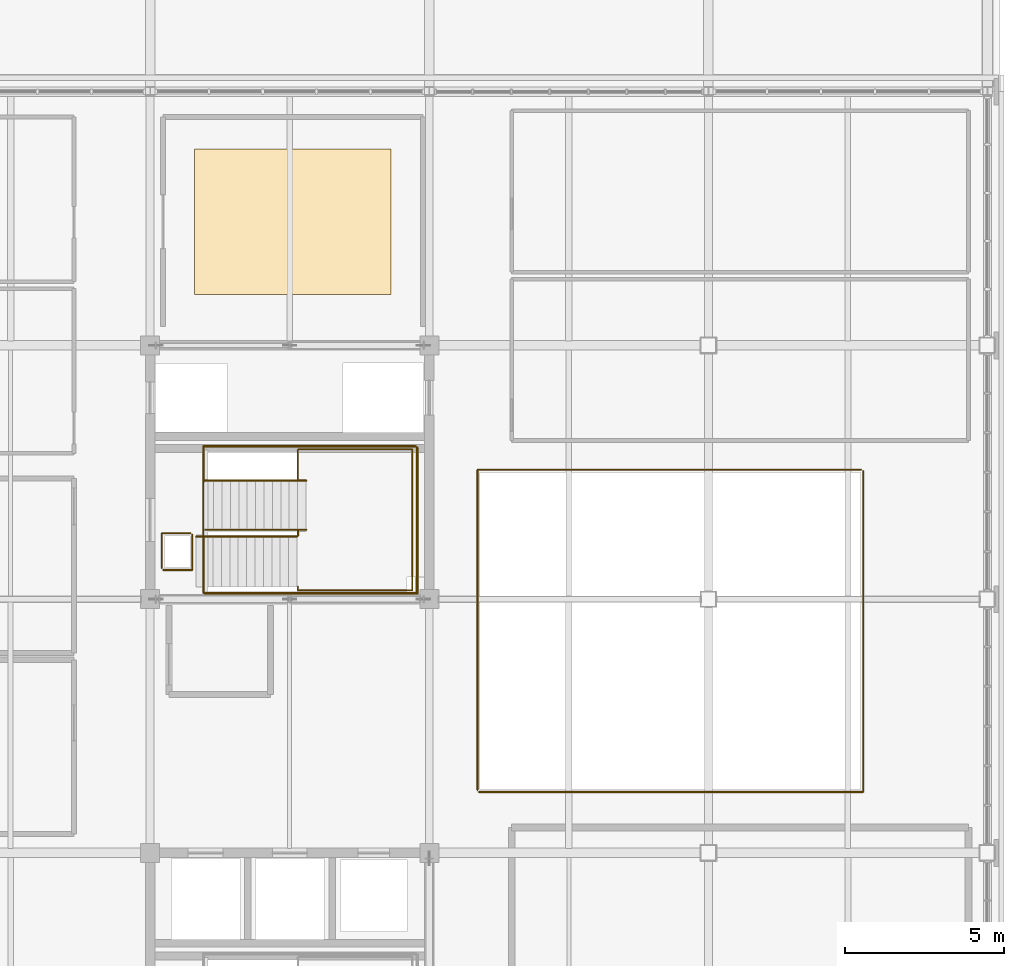
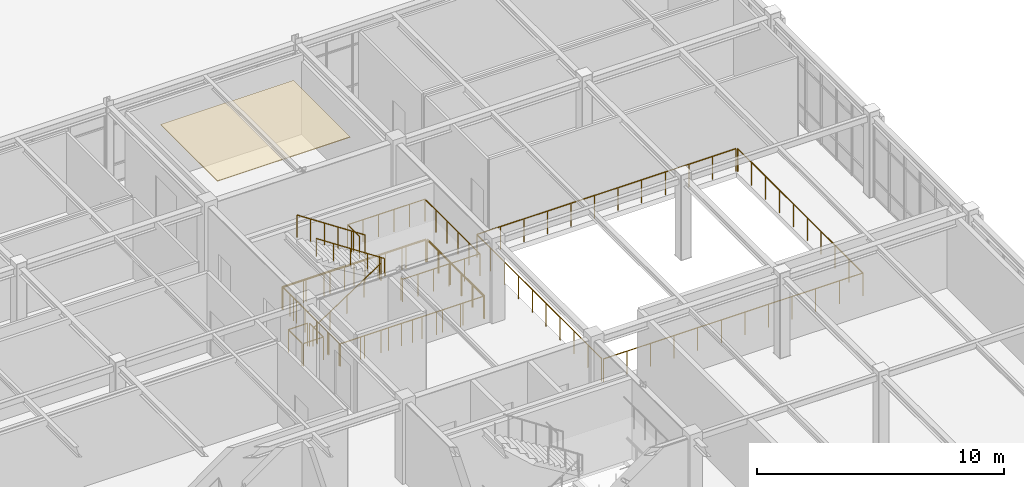
# One storey, part 44 of 45: 12 railings, 1 covering.
"""IFC4 building model written with IfcOpenShell, lengths in metres."""

from ifc_helpers import new_model, si_unit, direction, frame, origin, origin_2d, place, context, subcontext, project, spatial, rectangle, circle, extrude, material, layer, layer_set, type_object, element, save


model = new_model("IFC4")

# Units and contexts
model_context = context("Model", 3, precision=1e-05, world=origin(), true_north=direction((0.0, 1.0)))
body_context = subcontext(model_context, "Body", "Model", "MODEL_VIEW")
ifc_project = project(units=[si_unit("LENGTHUNIT", "METRE"), si_unit("AREAUNIT", "SQUARE_METRE"), si_unit("VOLUMEUNIT", "CUBIC_METRE"), si_unit("PLANEANGLEUNIT", "RADIAN"), si_unit("MASSUNIT", "GRAM", prefix="KILO")], contexts=[model_context])

# Site, building, storey
site_placement = place(None, origin())
site = spatial("IfcSite", under=ifc_project, at=site_placement, CompositionType="ELEMENT")
building_placement = place(site_placement, origin())
building = spatial("IfcBuilding", under=site, at=building_placement, Name="Zhaolan Boulevard Law Courts", CompositionType="ELEMENT")
storey_placement = place(building_placement, frame((0.0, 0.0, 24.60009765625)))
storey = spatial("IfcBuildingStorey", under=building, at=storey_placement, Name="L05", CompositionType="ELEMENT", Elevation=24.60009765625)

# Covering
ifc_material_1 = material(Name="Perforated acoustic gypsum and timber-slat ceiling", Category="wood")
ifc_layer = layer(ifc_material_1, 0.034912109375)
ifc_layer_set = layer_set([ifc_layer])
covering_type = type_object("IfcCoveringType", Name="ACOUSTIC CEILING 35", PredefinedType="CEILING", material=ifc_layer_set)
covering_placement = place(storey_placement, frame((22.10009765625, 73.89990234375, 3.51220703125), z_axis=(0.0, 0.0, 1.0), x_axis=(1.0, 0.0, 0.0)))
element("IfcCovering", 1, at=covering_placement, inside=storey, type_object=covering_type, Name="Acoustic Baffle Ceiling CLG-18", PredefinedType="CEILING", context=body_context, shape_type="SweptSolid", body=[
    extrude(rectangle(XDim=6.199951171875, YDim=4.60009765625, at=origin_2d()), origin(), (0.0, 0.0, 1.0), 0.034912109375),
])

# Railings
ifc_material_2 = material(Name="Powder-coated steel and tempered laminated glass", Category="steel")
railing_type_1 = type_object("IfcRailingType", Name="INTERIOR GUARDRAIL 1150", PredefinedType="GUARDRAIL", material=ifc_material_2)
railing_1_placement = place(storey_placement, frame((19.31005859375, 62.169921875, 0.0)))
element("IfcRailing", 2, at=railing_1_placement, inside=storey, type_object=railing_type_1, Name="Atrium Gallery Guardrail VG-5-V5-7A", PredefinedType="GUARDRAIL", context=body_context, shape_type="SweptSolid", body=[
    extrude(circle(Radius=0.02490234375, at=origin_2d()), frame((0.0, 0.0, 1.125), z_axis=(1.0, 0.0, 0.0), x_axis=(0.0, 1.0, 0.0)), (0.0, 0.0, 1.0), 6.719970703125),
    extrude(circle(Radius=0.02490234375, at=origin_2d()), frame((6.719970703125, 0.0, 1.125), z_axis=(0.0, 1.0, 0.0), x_axis=(-1.0, 0.0, 0.0)), (0.0, 0.0, 1.0), 4.6201171875),
    extrude(circle(Radius=0.02099609375, at=origin_2d()), origin(), (0.0, 0.0, 1.0), 1.099853515625),
    extrude(circle(Radius=0.02099609375, at=origin_2d()), frame((1.1201171875, 0.0, 0.0)), (0.0, 0.0, 1.0), 1.099853515625),
    extrude(circle(Radius=0.02099609375, at=origin_2d()), frame((2.239990234375, 0.0, 0.0)), (0.0, 0.0, 1.0), 1.099853515625),
    extrude(circle(Radius=0.02099609375, at=origin_2d()), frame((3.35986328125, 0.0, 0.0)), (0.0, 0.0, 1.0), 1.099853515625),
    extrude(circle(Radius=0.02099609375, at=origin_2d()), frame((4.47998046875, 0.0, 0.0)), (0.0, 0.0, 1.0), 1.099853515625),
    extrude(circle(Radius=0.02099609375, at=origin_2d()), frame((5.60009765625, 0.0, 0.0)), (0.0, 0.0, 1.0), 1.099853515625),
    extrude(circle(Radius=0.02099609375, at=origin_2d()), frame((6.719970703125, 0.0, 0.0)), (0.0, 0.0, 1.0), 1.099853515625),
    extrude(circle(Radius=0.02099609375, at=origin_2d()), frame((6.719970703125, 0.924072265625, 0.0)), (0.0, 0.0, 1.0), 1.099853515625),
    extrude(circle(Radius=0.02099609375, at=origin_2d()), frame((6.719970703125, 1.84814453125, 0.0)), (0.0, 0.0, 1.0), 1.099853515625),
    extrude(circle(Radius=0.02099609375, at=origin_2d()), frame((6.719970703125, 2.77197265625, 0.0)), (0.0, 0.0, 1.0), 1.099853515625),
    extrude(circle(Radius=0.02099609375, at=origin_2d()), frame((6.719970703125, 3.696044921875, 0.0)), (0.0, 0.0, 1.0), 1.099853515625),
    extrude(circle(Radius=0.02099609375, at=origin_2d()), frame((6.719970703125, 4.6201171875, 0.0)), (0.0, 0.0, 1.0), 1.099853515625),
])
railing_2_placement = place(storey_placement, frame((25.969970703125, 66.830078125, 0.0)))
element("IfcRailing", 3, at=railing_2_placement, inside=storey, type_object=railing_type_1, Name="Atrium Gallery Guardrail VG-5-V5-7B", PredefinedType="GUARDRAIL", context=body_context, shape_type="SweptSolid", body=[
    extrude(circle(Radius=0.02490234375, at=origin_2d()), frame((0.0, 0.0, 1.125), z_axis=(-1.0, 0.0, 0.0), x_axis=(0.0, -1.0, 0.0)), (0.0, 0.0, 1.0), 6.699951171875),
    extrude(circle(Radius=0.02490234375, at=origin_2d()), frame((-6.699951171875, 0.0, 1.125), z_axis=(0.0, -1.0, 0.0), x_axis=(1.0, 0.0, 0.0)), (0.0, 0.0, 1.0), 4.60009765625),
    extrude(circle(Radius=0.02099609375, at=origin_2d()), origin(), (0.0, 0.0, 1.0), 1.099853515625),
    extrude(circle(Radius=0.02099609375, at=origin_2d()), frame((-1.11669921875, 0.0, 0.0)), (0.0, 0.0, 1.0), 1.099853515625),
    extrude(circle(Radius=0.02099609375, at=origin_2d()), frame((-2.2333984375, 0.0, 0.0)), (0.0, 0.0, 1.0), 1.099853515625),
    extrude(circle(Radius=0.02099609375, at=origin_2d()), frame((-3.35009765625, 0.0, 0.0)), (0.0, 0.0, 1.0), 1.099853515625),
    extrude(circle(Radius=0.02099609375, at=origin_2d()), frame((-4.466552734375, 0.0, 0.0)), (0.0, 0.0, 1.0), 1.099853515625),
    extrude(circle(Radius=0.02099609375, at=origin_2d()), frame((-5.583251953125, 0.0, 0.0)), (0.0, 0.0, 1.0), 1.099853515625),
    extrude(circle(Radius=0.02099609375, at=origin_2d()), frame((-6.699951171875, 0.0, 0.0)), (0.0, 0.0, 1.0), 1.099853515625),
    extrude(circle(Radius=0.02099609375, at=origin_2d()), frame((-6.699951171875, -0.919921875, 0.0)), (0.0, 0.0, 1.0), 1.099853515625),
    extrude(circle(Radius=0.02099609375, at=origin_2d()), frame((-6.699951171875, -1.840087890625, 0.0)), (0.0, 0.0, 1.0), 1.099853515625),
    extrude(circle(Radius=0.02099609375, at=origin_2d()), frame((-6.699951171875, -2.760009765625, 0.0)), (0.0, 0.0, 1.0), 1.099853515625),
    extrude(circle(Radius=0.02099609375, at=origin_2d()), frame((-6.699951171875, -3.68017578125, 0.0)), (0.0, 0.0, 1.0), 1.099853515625),
    extrude(circle(Radius=0.02099609375, at=origin_2d()), frame((-6.699951171875, -4.60009765625, 0.0)), (0.0, 0.0, 1.0), 1.099853515625),
])
railing_3_placement = place(storey_placement, frame((18.010009765625, 62.919921875, 0.0)))
element("IfcRailing", 4, at=railing_3_placement, inside=storey, type_object=railing_type_1, Name="Atrium Gallery Guardrail VG-5-V5-10A", PredefinedType="GUARDRAIL", context=body_context, shape_type="SweptSolid", body=[
    extrude(circle(Radius=0.02490234375, at=origin_2d()), frame((0.0, 0.0, 1.125), z_axis=(1.0, 0.0, 0.0), x_axis=(0.0, 1.0, 0.0)), (0.0, 0.0, 1.0), 0.919921875),
    extrude(circle(Radius=0.02490234375, at=origin_2d()), frame((0.919921875, 0.0, 1.125), z_axis=(0.0, 1.0, 0.0), x_axis=(-1.0, 0.0, 0.0)), (0.0, 0.0, 1.0), 1.1201171875),
    extrude(circle(Radius=0.02099609375, at=origin_2d()), origin(), (0.0, 0.0, 1.0), 1.099853515625),
    extrude(circle(Radius=0.02099609375, at=origin_2d()), frame((0.919921875, 0.0, 0.0)), (0.0, 0.0, 1.0), 1.099853515625),
    extrude(circle(Radius=0.02099609375, at=origin_2d()), frame((0.919921875, 1.1201171875, 0.0)), (0.0, 0.0, 1.0), 1.099853515625),
])
railing_4_placement = place(storey_placement, frame((18.8701171875, 64.080078125, 0.0)))
element("IfcRailing", 5, at=railing_4_placement, inside=storey, type_object=railing_type_1, Name="Atrium Gallery Guardrail VG-5-V5-10B", PredefinedType="GUARDRAIL", context=body_context, shape_type="SweptSolid", body=[
    extrude(circle(Radius=0.02490234375, at=origin_2d()), frame((0.0, 0.0, 1.125), z_axis=(-1.0, 0.0, 0.0), x_axis=(0.0, -1.0, 0.0)), (0.0, 0.0, 1.0), 0.900146484375),
    extrude(circle(Radius=0.02490234375, at=origin_2d()), frame((-0.900146484375, 0.0, 1.125), z_axis=(0.0, -1.0, 0.0), x_axis=(1.0, 0.0, 0.0)), (0.0, 0.0, 1.0), 1.10009765625),
    extrude(circle(Radius=0.02099609375, at=origin_2d()), origin(), (0.0, 0.0, 1.0), 1.099853515625),
    extrude(circle(Radius=0.02099609375, at=origin_2d()), frame((-0.900146484375, 0.0, 0.0)), (0.0, 0.0, 1.0), 1.099853515625),
    extrude(circle(Radius=0.02099609375, at=origin_2d()), frame((-0.900146484375, -1.10009765625, 0.0)), (0.0, 0.0, 1.0), 1.099853515625),
])
railing_5_placement = place(storey_placement, frame((27.9599609375, 55.919921875, 0.0)))
element("IfcRailing", 6, at=railing_5_placement, inside=storey, type_object=railing_type_1, Name="Atrium Gallery Guardrail VG-5-V5-11A", PredefinedType="GUARDRAIL", context=body_context, shape_type="SweptSolid", body=[
    extrude(circle(Radius=0.02490234375, at=origin_2d()), frame((0.0, 0.0, 1.125), z_axis=(1.0, 0.0, 0.0), x_axis=(0.0, 1.0, 0.0)), (0.0, 0.0, 1.0), 12.1201171875),
    extrude(circle(Radius=0.02490234375, at=origin_2d()), frame((12.1201171875, 0.0, 1.125), z_axis=(0.0, 1.0, 0.0), x_axis=(-1.0, 0.0, 0.0)), (0.0, 0.0, 1.0), 10.1201171875),
    extrude(circle(Radius=0.02099609375, at=origin_2d()), origin(), (0.0, 0.0, 1.0), 1.099853515625),
    extrude(circle(Radius=0.02099609375, at=origin_2d()), frame((1.101806640625, 0.0, 0.0)), (0.0, 0.0, 1.0), 1.099853515625),
    extrude(circle(Radius=0.02099609375, at=origin_2d()), frame((2.20361328125, 0.0, 0.0)), (0.0, 0.0, 1.0), 1.099853515625),
    extrude(circle(Radius=0.02099609375, at=origin_2d()), frame((3.305419921875, 0.0, 0.0)), (0.0, 0.0, 1.0), 1.099853515625),
    extrude(circle(Radius=0.02099609375, at=origin_2d()), frame((4.4072265625, 0.0, 0.0)), (0.0, 0.0, 1.0), 1.099853515625),
    extrude(circle(Radius=0.02099609375, at=origin_2d()), frame((5.509033203125, 0.0, 0.0)), (0.0, 0.0, 1.0), 1.099853515625),
    extrude(circle(Radius=0.02099609375, at=origin_2d()), frame((6.611083984375, 0.0, 0.0)), (0.0, 0.0, 1.0), 1.099853515625),
    extrude(circle(Radius=0.02099609375, at=origin_2d()), frame((7.712890625, 0.0, 0.0)), (0.0, 0.0, 1.0), 1.099853515625),
    extrude(circle(Radius=0.02099609375, at=origin_2d()), frame((8.814697265625, 0.0, 0.0)), (0.0, 0.0, 1.0), 1.099853515625),
    extrude(circle(Radius=0.02099609375, at=origin_2d()), frame((9.91650390625, 0.0, 0.0)), (0.0, 0.0, 1.0), 1.099853515625),
    extrude(circle(Radius=0.02099609375, at=origin_2d()), frame((11.018310546875, 0.0, 0.0)), (0.0, 0.0, 1.0), 1.099853515625),
    extrude(circle(Radius=0.02099609375, at=origin_2d()), frame((12.1201171875, 0.0, 0.0)), (0.0, 0.0, 1.0), 1.099853515625),
    extrude(circle(Radius=0.02099609375, at=origin_2d()), frame((12.1201171875, 1.12451171875, 0.0)), (0.0, 0.0, 1.0), 1.099853515625),
    extrude(circle(Radius=0.02099609375, at=origin_2d()), frame((12.1201171875, 2.2490234375, 0.0)), (0.0, 0.0, 1.0), 1.099853515625),
    extrude(circle(Radius=0.02099609375, at=origin_2d()), frame((12.1201171875, 3.373291015625, 0.0)), (0.0, 0.0, 1.0), 1.099853515625),
    extrude(circle(Radius=0.02099609375, at=origin_2d()), frame((12.1201171875, 4.497802734375, 0.0)), (0.0, 0.0, 1.0), 1.099853515625),
    extrude(circle(Radius=0.02099609375, at=origin_2d()), frame((12.1201171875, 5.622314453125, 0.0)), (0.0, 0.0, 1.0), 1.099853515625),
    extrude(circle(Radius=0.02099609375, at=origin_2d()), frame((12.1201171875, 6.746826171875, 0.0)), (0.0, 0.0, 1.0), 1.099853515625),
    extrude(circle(Radius=0.02099609375, at=origin_2d()), frame((12.1201171875, 7.87109375, 0.0)), (0.0, 0.0, 1.0), 1.099853515625),
    extrude(circle(Radius=0.02099609375, at=origin_2d()), frame((12.1201171875, 8.99560546875, 0.0)), (0.0, 0.0, 1.0), 1.099853515625),
    extrude(circle(Radius=0.02099609375, at=origin_2d()), frame((12.1201171875, 10.1201171875, 0.0)), (0.0, 0.0, 1.0), 1.099853515625),
])
railing_6_placement = place(storey_placement, frame((40.02001953125, 66.080078125, 0.0)))
element("IfcRailing", 7, at=railing_6_placement, inside=storey, type_object=railing_type_1, Name="Atrium Gallery Guardrail VG-5-V5-11B", PredefinedType="GUARDRAIL", context=body_context, shape_type="SweptSolid", body=[
    extrude(circle(Radius=0.02490234375, at=origin_2d()), frame((0.0, 0.0, 1.125), z_axis=(-1.0, 0.0, 0.0), x_axis=(0.0, -1.0, 0.0)), (0.0, 0.0, 1.0), 12.10009765625),
    extrude(circle(Radius=0.02490234375, at=origin_2d()), frame((-12.10009765625, 0.0, 1.125), z_axis=(0.0, -1.0, 0.0), x_axis=(1.0, 0.0, 0.0)), (0.0, 0.0, 1.0), 10.10009765625),
    extrude(circle(Radius=0.02099609375, at=origin_2d()), origin(), (0.0, 0.0, 1.0), 1.099853515625),
    extrude(circle(Radius=0.02099609375, at=origin_2d()), frame((-1.10009765625, 0.0, 0.0)), (0.0, 0.0, 1.0), 1.099853515625),
    extrude(circle(Radius=0.02099609375, at=origin_2d()), frame((-2.199951171875, 0.0, 0.0)), (0.0, 0.0, 1.0), 1.099853515625),
    extrude(circle(Radius=0.02099609375, at=origin_2d()), frame((-3.300048828125, 0.0, 0.0)), (0.0, 0.0, 1.0), 1.099853515625),
    extrude(circle(Radius=0.02099609375, at=origin_2d()), frame((-4.400146484375, 0.0, 0.0)), (0.0, 0.0, 1.0), 1.099853515625),
    extrude(circle(Radius=0.02099609375, at=origin_2d()), frame((-5.5, 0.0, 0.0)), (0.0, 0.0, 1.0), 1.099853515625),
    extrude(circle(Radius=0.02099609375, at=origin_2d()), frame((-6.60009765625, 0.0, 0.0)), (0.0, 0.0, 1.0), 1.099853515625),
    extrude(circle(Radius=0.02099609375, at=origin_2d()), frame((-7.699951171875, 0.0, 0.0)), (0.0, 0.0, 1.0), 1.099853515625),
    extrude(circle(Radius=0.02099609375, at=origin_2d()), frame((-8.800048828125, 0.0, 0.0)), (0.0, 0.0, 1.0), 1.099853515625),
    extrude(circle(Radius=0.02099609375, at=origin_2d()), frame((-9.900146484375, 0.0, 0.0)), (0.0, 0.0, 1.0), 1.099853515625),
    extrude(circle(Radius=0.02099609375, at=origin_2d()), frame((-11.0, 0.0, 0.0)), (0.0, 0.0, 1.0), 1.099853515625),
    extrude(circle(Radius=0.02099609375, at=origin_2d()), frame((-12.10009765625, 0.0, 0.0)), (0.0, 0.0, 1.0), 1.099853515625),
    extrude(circle(Radius=0.02099609375, at=origin_2d()), frame((-12.10009765625, -1.122314453125, 0.0)), (0.0, 0.0, 1.0), 1.099853515625),
    extrude(circle(Radius=0.02099609375, at=origin_2d()), frame((-12.10009765625, -2.244384765625, 0.0)), (0.0, 0.0, 1.0), 1.099853515625),
    extrude(circle(Radius=0.02099609375, at=origin_2d()), frame((-12.10009765625, -3.36669921875, 0.0)), (0.0, 0.0, 1.0), 1.099853515625),
    extrude(circle(Radius=0.02099609375, at=origin_2d()), frame((-12.10009765625, -4.489013671875, 0.0)), (0.0, 0.0, 1.0), 1.099853515625),
    extrude(circle(Radius=0.02099609375, at=origin_2d()), frame((-12.10009765625, -5.611083984375, 0.0)), (0.0, 0.0, 1.0), 1.099853515625),
    extrude(circle(Radius=0.02099609375, at=origin_2d()), frame((-12.10009765625, -6.7333984375, 0.0)), (0.0, 0.0, 1.0), 1.099853515625),
    extrude(circle(Radius=0.02099609375, at=origin_2d()), frame((-12.10009765625, -7.855712890625, 0.0)), (0.0, 0.0, 1.0), 1.099853515625),
    extrude(circle(Radius=0.02099609375, at=origin_2d()), frame((-12.10009765625, -8.977783203125, 0.0)), (0.0, 0.0, 1.0), 1.099853515625),
    extrude(circle(Radius=0.02099609375, at=origin_2d()), frame((-12.10009765625, -10.10009765625, 0.0)), (0.0, 0.0, 1.0), 1.099853515625),
])
ifc_material_3 = material(Name="Brushed stainless steel tubular handrail", Category="steel")
railing_type_2 = type_object("IfcRailingType", Name="STAIR HANDRAIL 900", PredefinedType="HANDRAIL", material=ifc_material_3)
railing_7_placement = place(storey_placement, frame((19.050048828125, 63.969970703125, 0.0)))
element("IfcRailing", 8, at=railing_7_placement, inside=storey, type_object=railing_type_2, Name="Stair Handrail HR-ST02-L05-1", PredefinedType="HANDRAIL", context=body_context, shape_type="SweptSolid", body=[
    extrude(circle(Radius=0.0224609375, at=origin_2d()), frame((0.0, 0.0, 0.87744140625), z_axis=(0.834476838559, 0.0, 0.551043016387), x_axis=(0.0, 1.0, 0.0)), (0.0, 0.0, 1.0), 3.810791015625),
    extrude(circle(Radius=0.01904296875, at=origin_2d()), origin(), (0.0, 0.0, 1.0), 0.85498046875),
    extrude(circle(Radius=0.01904296875, at=origin_2d()), frame((0.794921875, 0.0, 0.52490234375)), (0.0, 0.0, 1.0), 0.85498046875),
    extrude(circle(Radius=0.01904296875, at=origin_2d()), frame((1.58984375, 0.0, 1.0498046875)), (0.0, 0.0, 1.0), 0.85498046875),
    extrude(circle(Radius=0.01904296875, at=origin_2d()), frame((2.385009765625, 0.0, 1.574951171875)), (0.0, 0.0, 1.0), 0.85498046875),
    extrude(circle(Radius=0.01904296875, at=origin_2d()), frame((3.179931640625, 0.0, 2.099853515625)), (0.0, 0.0, 1.0), 0.85498046875),
])
railing_8_placement = place(storey_placement, frame((22.514892578125, 64.18994140625, 2.099853515625)))
element("IfcRailing", 9, at=railing_8_placement, inside=storey, type_object=railing_type_2, Name="Stair Handrail HR-ST02-L05-2", PredefinedType="HANDRAIL", context=body_context, shape_type="SweptSolid", body=[
    extrude(circle(Radius=0.0224609375, at=origin_2d()), frame((0.0, 0.0, 0.87744140625), z_axis=(-0.834447378162, 0.0, 0.551087627405), x_axis=(0.0, -1.0, 0.0)), (0.0, 0.0, 1.0), 3.810791015625),
    extrude(circle(Radius=0.01904296875, at=origin_2d()), origin(), (0.0, 0.0, 1.0), 0.85498046875),
    extrude(circle(Radius=0.01904296875, at=origin_2d()), frame((-0.794921875, 0.0, 0.52490234375)), (0.0, 0.0, 1.0), 0.85498046875),
    extrude(circle(Radius=0.01904296875, at=origin_2d()), frame((-1.58984375, 0.0, 1.050048828125)), (0.0, 0.0, 1.0), 0.85498046875),
    extrude(circle(Radius=0.01904296875, at=origin_2d()), frame((-2.385009765625, 0.0, 1.5751953125)), (0.0, 0.0, 1.0), 0.85498046875),
    extrude(circle(Radius=0.01904296875, at=origin_2d()), frame((-3.179931640625, 0.0, 2.10009765625)), (0.0, 0.0, 1.0), 0.85498046875),
])
ifc_material_4 = material(Name="Powder-coated steel baluster guardrail", Category="steel")
railing_type_3 = type_object("IfcRailingType", Name="STAIR WELL GUARDRAIL 1120", PredefinedType="GUARDRAIL", material=ifc_material_4)
railing_9_placement = place(storey_placement, frame((19.2900390625, 64.0, 0.0)))
element("IfcRailing", 10, at=railing_9_placement, inside=storey, type_object=railing_type_3, Name="Stair-Well Floor Guardrail WG-ST02-L04", PredefinedType="GUARDRAIL", context=body_context, shape_type="SweptSolid", body=[
    extrude(circle(Radius=0.02392578125, at=origin_2d()), frame((0.0, 0.0, 1.09619140625), z_axis=(0.0, -1.0, 0.0), x_axis=(1.0, 0.0, 0.0)), (0.0, 0.0, 1.0), 1.800048828125),
    extrude(circle(Radius=0.02392578125, at=origin_2d()), frame((0.0, -1.800048828125, 1.09619140625), z_axis=(1.0, 0.0, 0.0), x_axis=(0.0, 1.0, 0.0)), (0.0, 0.0, 1.0), 6.7099609375),
    extrude(circle(Radius=0.02392578125, at=origin_2d()), frame((6.7099609375, -1.800048828125, 1.09619140625), z_axis=(0.0, 1.0, 0.0), x_axis=(-1.0, 0.0, 0.0)), (0.0, 0.0, 1.0), 4.60009765625),
    extrude(circle(Radius=0.02392578125, at=origin_2d()), frame((6.7099609375, 2.800048828125, 1.09619140625), z_axis=(-1.0, 0.0, 0.0), x_axis=(0.0, -1.0, 0.0)), (0.0, 0.0, 1.0), 6.7099609375),
    extrude(circle(Radius=0.02392578125, at=origin_2d()), frame((0.0, 2.800048828125, 1.09619140625), z_axis=(0.0, -1.0, 0.0), x_axis=(1.0, 0.0, 0.0)), (0.0, 0.0, 1.0), 1.10009765625),
    extrude(circle(Radius=0.02099609375, at=origin_2d()), origin(), (0.0, 0.0, 1.0), 1.072021484375),
    extrude(circle(Radius=0.02099609375, at=origin_2d()), frame((0.0, -0.89990234375, 0.0)), (0.0, 0.0, 1.0), 1.072021484375),
    extrude(circle(Radius=0.02099609375, at=origin_2d()), frame((0.0, -1.800048828125, 0.0)), (0.0, 0.0, 1.0), 1.072021484375),
    extrude(circle(Radius=0.02099609375, at=origin_2d()), frame((0.95849609375, -1.800048828125, 0.0)), (0.0, 0.0, 1.0), 1.072021484375),
    extrude(circle(Radius=0.02099609375, at=origin_2d()), frame((1.917236328125, -1.800048828125, 0.0)), (0.0, 0.0, 1.0), 1.072021484375),
    extrude(circle(Radius=0.02099609375, at=origin_2d()), frame((2.875732421875, -1.800048828125, 0.0)), (0.0, 0.0, 1.0), 1.072021484375),
    extrude(circle(Radius=0.02099609375, at=origin_2d()), frame((3.834228515625, -1.800048828125, 0.0)), (0.0, 0.0, 1.0), 1.072021484375),
    extrude(circle(Radius=0.02099609375, at=origin_2d()), frame((4.792724609375, -1.800048828125, 0.0)), (0.0, 0.0, 1.0), 1.072021484375),
    extrude(circle(Radius=0.02099609375, at=origin_2d()), frame((5.75146484375, -1.800048828125, 0.0)), (0.0, 0.0, 1.0), 1.072021484375),
    extrude(circle(Radius=0.02099609375, at=origin_2d()), frame((6.7099609375, -1.800048828125, 0.0)), (0.0, 0.0, 1.0), 1.072021484375),
    extrude(circle(Radius=0.02099609375, at=origin_2d()), frame((6.7099609375, -0.880126953125, 0.0)), (0.0, 0.0, 1.0), 1.072021484375),
    extrude(circle(Radius=0.02099609375, at=origin_2d()), frame((6.7099609375, 0.0400390625, 0.0)), (0.0, 0.0, 1.0), 1.072021484375),
    extrude(circle(Radius=0.02099609375, at=origin_2d()), frame((6.7099609375, 0.9599609375, 0.0)), (0.0, 0.0, 1.0), 1.072021484375),
    extrude(circle(Radius=0.02099609375, at=origin_2d()), frame((6.7099609375, 1.880126953125, 0.0)), (0.0, 0.0, 1.0), 1.072021484375),
    extrude(circle(Radius=0.02099609375, at=origin_2d()), frame((6.7099609375, 2.800048828125, 0.0)), (0.0, 0.0, 1.0), 1.072021484375),
    extrude(circle(Radius=0.02099609375, at=origin_2d()), frame((5.75146484375, 2.800048828125, 0.0)), (0.0, 0.0, 1.0), 1.072021484375),
    extrude(circle(Radius=0.02099609375, at=origin_2d()), frame((4.792724609375, 2.800048828125, 0.0)), (0.0, 0.0, 1.0), 1.072021484375),
    extrude(circle(Radius=0.02099609375, at=origin_2d()), frame((3.834228515625, 2.800048828125, 0.0)), (0.0, 0.0, 1.0), 1.072021484375),
    extrude(circle(Radius=0.02099609375, at=origin_2d()), frame((2.875732421875, 2.800048828125, 0.0)), (0.0, 0.0, 1.0), 1.072021484375),
    extrude(circle(Radius=0.02099609375, at=origin_2d()), frame((1.917236328125, 2.800048828125, 0.0)), (0.0, 0.0, 1.0), 1.072021484375),
    extrude(circle(Radius=0.02099609375, at=origin_2d()), frame((0.95849609375, 2.800048828125, 0.0)), (0.0, 0.0, 1.0), 1.072021484375),
    extrude(circle(Radius=0.02099609375, at=origin_2d()), frame((0.0, 2.800048828125, 0.0)), (0.0, 0.0, 1.0), 1.072021484375),
    extrude(circle(Radius=0.02099609375, at=origin_2d()), frame((0.0, 2.25, 0.0)), (0.0, 0.0, 1.0), 1.072021484375),
    extrude(circle(Radius=0.02099609375, at=origin_2d()), frame((0.0, 1.699951171875, 0.0)), (0.0, 0.0, 1.0), 1.072021484375),
])
railing_10_placement = place(storey_placement, frame((22.260009765625, 62.39990234375, 2.099853515625)))
element("IfcRailing", 11, at=railing_10_placement, inside=storey, type_object=railing_type_3, Name="Half-Landing Guardrail SG-ST02-L05-M", PredefinedType="GUARDRAIL", context=body_context, shape_type="SweptSolid", body=[
    extrude(circle(Radius=0.02392578125, at=origin_2d()), frame((0.0, 0.0, 1.09619140625), z_axis=(0.0, -1.0, 0.0), x_axis=(1.0, 0.0, 0.0)), (0.0, 0.0, 1.0), 0.119873046875),
    extrude(circle(Radius=0.02392578125, at=origin_2d()), frame((0.0, -0.119873046875, 1.09619140625), z_axis=(1.0, 0.0, 0.0), x_axis=(0.0, 1.0, 0.0)), (0.0, 0.0, 1.0), 3.610107421875),
    extrude(circle(Radius=0.02392578125, at=origin_2d()), frame((3.610107421875, -0.119873046875, 1.09619140625), z_axis=(0.0, 1.0, 0.0), x_axis=(-1.0, 0.0, 0.0)), (0.0, 0.0, 1.0), 4.43994140625),
    extrude(circle(Radius=0.02392578125, at=origin_2d()), frame((3.610107421875, 4.320068359375, 1.09619140625), z_axis=(-1.0, 0.0, 0.0), x_axis=(0.0, -1.0, 0.0)), (0.0, 0.0, 1.0), 3.610107421875),
    extrude(circle(Radius=0.02392578125, at=origin_2d()), frame((0.0, 4.320068359375, 1.09619140625), z_axis=(0.0, -1.0, 0.0), x_axis=(1.0, 0.0, 0.0)), (0.0, 0.0, 1.0), 0.9599609375),
    extrude(circle(Radius=0.02099609375, at=origin_2d()), origin(), (0.0, 0.0, 1.0), 1.072021484375),
    extrude(circle(Radius=0.02099609375, at=origin_2d()), frame((0.0, -0.119873046875, 0.0)), (0.0, 0.0, 1.0), 1.072021484375),
    extrude(circle(Radius=0.02099609375, at=origin_2d()), frame((0.721923828125, -0.119873046875, 0.0)), (0.0, 0.0, 1.0), 1.072021484375),
    extrude(circle(Radius=0.02099609375, at=origin_2d()), frame((1.444091796875, -0.119873046875, 0.0)), (0.0, 0.0, 1.0), 1.072021484375),
    extrude(circle(Radius=0.02099609375, at=origin_2d()), frame((2.166015625, -0.119873046875, 0.0)), (0.0, 0.0, 1.0), 1.072021484375),
    extrude(circle(Radius=0.02099609375, at=origin_2d()), frame((2.88818359375, -0.119873046875, 0.0)), (0.0, 0.0, 1.0), 1.072021484375),
    extrude(circle(Radius=0.02099609375, at=origin_2d()), frame((3.610107421875, -0.119873046875, 0.0)), (0.0, 0.0, 1.0), 1.072021484375),
    extrude(circle(Radius=0.02099609375, at=origin_2d()), frame((3.610107421875, 0.76806640625, 0.0)), (0.0, 0.0, 1.0), 1.072021484375),
    extrude(circle(Radius=0.02099609375, at=origin_2d()), frame((3.610107421875, 1.656005859375, 0.0)), (0.0, 0.0, 1.0), 1.072021484375),
    extrude(circle(Radius=0.02099609375, at=origin_2d()), frame((3.610107421875, 2.544189453125, 0.0)), (0.0, 0.0, 1.0), 1.072021484375),
    extrude(circle(Radius=0.02099609375, at=origin_2d()), frame((3.610107421875, 3.43212890625, 0.0)), (0.0, 0.0, 1.0), 1.072021484375),
    extrude(circle(Radius=0.02099609375, at=origin_2d()), frame((3.610107421875, 4.320068359375, 0.0)), (0.0, 0.0, 1.0), 1.072021484375),
    extrude(circle(Radius=0.02099609375, at=origin_2d()), frame((2.88818359375, 4.320068359375, 0.0)), (0.0, 0.0, 1.0), 1.072021484375),
    extrude(circle(Radius=0.02099609375, at=origin_2d()), frame((2.166015625, 4.320068359375, 0.0)), (0.0, 0.0, 1.0), 1.072021484375),
    extrude(circle(Radius=0.02099609375, at=origin_2d()), frame((1.444091796875, 4.320068359375, 0.0)), (0.0, 0.0, 1.0), 1.072021484375),
    extrude(circle(Radius=0.02099609375, at=origin_2d()), frame((0.721923828125, 4.320068359375, 0.0)), (0.0, 0.0, 1.0), 1.072021484375),
    extrude(circle(Radius=0.02099609375, at=origin_2d()), frame((0.0, 4.320068359375, 0.0)), (0.0, 0.0, 1.0), 1.072021484375),
    extrude(circle(Radius=0.02099609375, at=origin_2d()), frame((0.0, 3.840087890625, 0.0)), (0.0, 0.0, 1.0), 1.072021484375),
    extrude(circle(Radius=0.02099609375, at=origin_2d()), frame((0.0, 3.360107421875, 0.0)), (0.0, 0.0, 1.0), 1.072021484375),
])
railing_11_placement = place(storey_placement, frame((22.260009765625, 64.010009765625, 2.099853515625)))
element("IfcRailing", 12, at=railing_11_placement, inside=storey, type_object=railing_type_3, Name="Half-Landing Well Guardrail SG-ST02-L05-W", PredefinedType="GUARDRAIL", context=body_context, shape_type="SweptSolid", body=[
    extrude(circle(Radius=0.02392578125, at=origin_2d()), frame((0.0, 0.0, 1.09619140625), z_axis=(0.0, 1.0, 0.0), x_axis=(-1.0, 0.0, 0.0)), (0.0, 0.0, 1.0), 0.139892578125),
    extrude(circle(Radius=0.02099609375, at=origin_2d()), origin(), (0.0, 0.0, 1.0), 1.072021484375),
    extrude(circle(Radius=0.02099609375, at=origin_2d()), frame((0.0, 0.139892578125, 0.0)), (0.0, 0.0, 1.0), 1.072021484375),
])
railing_12_placement = place(storey_placement, frame((22.514892578125, 65.739990234375, 2.099853515625)))
element("IfcRailing", 13, at=railing_12_placement, inside=storey, type_object=railing_type_3, Name="Flight Guardrail SG-ST02-L05-F2", PredefinedType="GUARDRAIL", context=body_context, shape_type="SweptSolid", body=[
    extrude(circle(Radius=0.02392578125, at=origin_2d()), frame((0.0, 0.0, 1.09619140625), z_axis=(-0.834447378162, 0.0, 0.551087627405), x_axis=(0.0, -1.0, 0.0)), (0.0, 0.0, 1.0), 3.810791015625),
    extrude(circle(Radius=0.02099609375, at=origin_2d()), origin(), (0.0, 0.0, 1.0), 1.072021484375),
    extrude(circle(Radius=0.02099609375, at=origin_2d()), frame((-0.635986328125, 0.0, 0.419921875)), (0.0, 0.0, 1.0), 1.072021484375),
    extrude(circle(Radius=0.02099609375, at=origin_2d()), frame((-1.27197265625, 0.0, 0.840087890625)), (0.0, 0.0, 1.0), 1.072021484375),
    extrude(circle(Radius=0.02099609375, at=origin_2d()), frame((-1.907958984375, 0.0, 1.260009765625)), (0.0, 0.0, 1.0), 1.072021484375),
    extrude(circle(Radius=0.02099609375, at=origin_2d()), frame((-2.5439453125, 0.0, 1.68017578125)), (0.0, 0.0, 1.0), 1.072021484375),
    extrude(circle(Radius=0.02099609375, at=origin_2d()), frame((-3.179931640625, 0.0, 2.10009765625)), (0.0, 0.0, 1.0), 1.072021484375),
])

save(model, "model.ifc")
